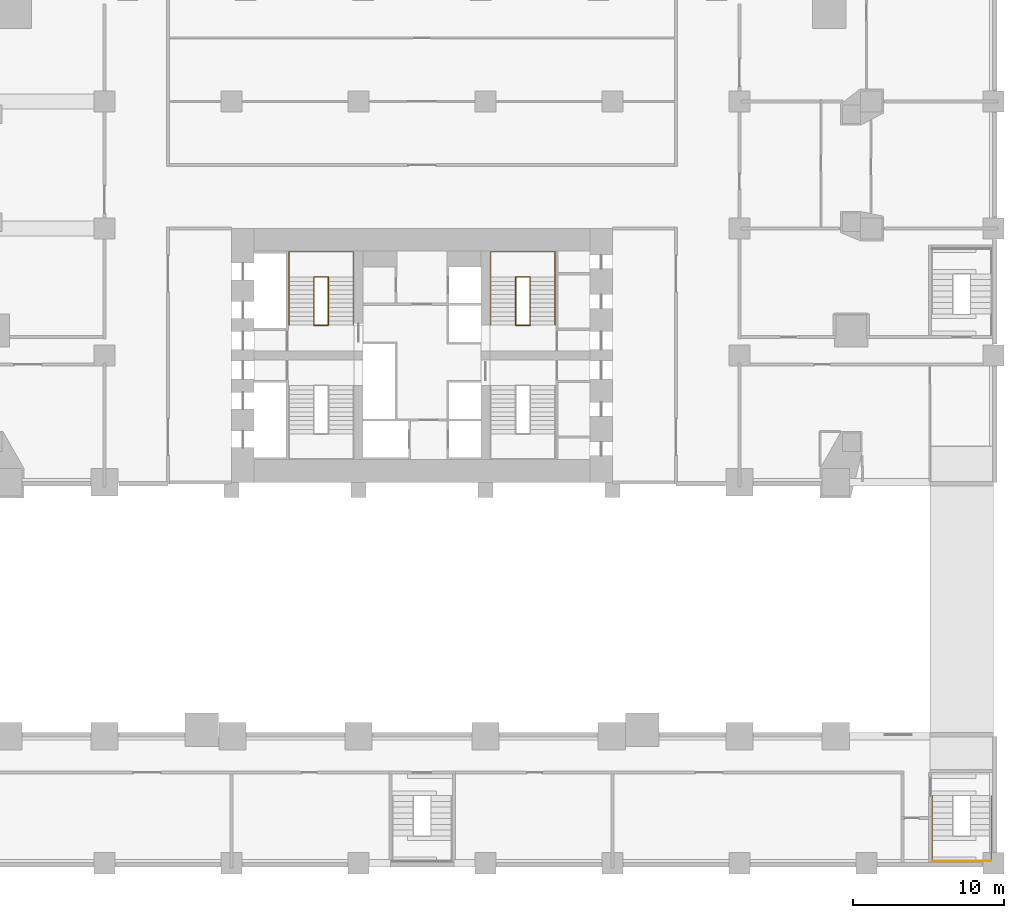
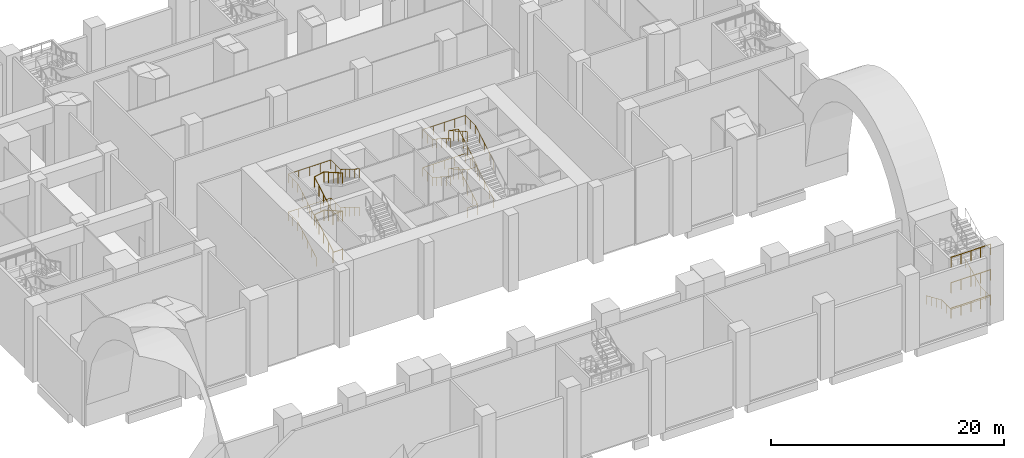
# One storey, part 16 of 19: 12 railings.
"""IFC4 building model written with IfcOpenShell, lengths in metres."""

from ifc_helpers import new_model, si_unit, direction, frame, origin, origin_2d, place, context, subcontext, project, spatial, circle, extrude, material, type_object, element, save


model = new_model("IFC4")

# Units and contexts
model_context = context("Model", 3, precision=1e-05, world=origin(), true_north=direction((0.0, 1.0)))
body_context = subcontext(model_context, "Body", "Model", "MODEL_VIEW")
ifc_project = project(units=[si_unit("LENGTHUNIT", "METRE"), si_unit("AREAUNIT", "SQUARE_METRE"), si_unit("VOLUMEUNIT", "CUBIC_METRE"), si_unit("PLANEANGLEUNIT", "RADIAN"), si_unit("MASSUNIT", "GRAM", prefix="KILO")], contexts=[model_context])

# Site, building, storey
site_placement = place(None, origin())
site = spatial("IfcSite", under=ifc_project, at=site_placement, CompositionType="ELEMENT")
building_placement = place(site_placement, origin())
building = spatial("IfcBuilding", under=site, at=building_placement, Name="Marenta Gate Hotel Tower", CompositionType="ELEMENT")
storey_placement = place(building_placement, frame((0.0, 0.0, 13.0)))
storey = spatial("IfcBuildingStorey", under=building, at=storey_placement, Name="L02", CompositionType="ELEMENT", Elevation=13.0)

# Railings
ifc_material_1 = material(Name="Stainless steel", Category="steel")
railing_type_1 = type_object("IfcRailingType", Name="Core stair handrail 950", PredefinedType="HANDRAIL", material=ifc_material_1)
railing_1_placement = place(storey_placement, frame((-8.800048828125, 10.39990234375, 0.166748046875)))
element("IfcRailing", 1, at=railing_1_placement, inside=storey, type_object=railing_type_1, Name="HR-950 L02-KR-ST2-1", PredefinedType="HANDRAIL", context=body_context, shape_type="SweptSolid", body=[
    extrude(circle(Radius=0.02392578125, at=origin_2d()), frame((0.0, 0.0, 0.92578125), z_axis=(0.0, 0.8670360191, 0.498245463184), x_axis=(-1.0, 0.0, 0.0)), (0.0, 0.0, 1.0), 3.679443359375),
    extrude(circle(Radius=0.02392578125, at=origin_2d()), frame((0.0, 3.190185546875, 2.75927734375), z_axis=(0.0, 1.0, 0.0), x_axis=(-1.0, 0.0, 0.0)), (0.0, 0.0, 1.0), 1.659912109375),
    extrude(circle(Radius=0.02392578125, at=origin_2d()), frame((0.0, 4.85009765625, 2.75927734375), z_axis=(1.0, 0.0, 0.0), x_axis=(0.0, 1.0, 0.0)), (0.0, 0.0, 1.0), 4.25),
    extrude(circle(Radius=0.02392578125, at=origin_2d()), frame((4.25, 4.85009765625, 2.75927734375), z_axis=(0.0, -1.0, 0.0), x_axis=(1.0, 0.0, 0.0)), (0.0, 0.0, 1.0), 1.659912109375),
    extrude(circle(Radius=0.02392578125, at=origin_2d()), frame((4.25, 3.190185546875, 2.75927734375), z_axis=(0.0, -0.847265311894, 0.531169926918), x_axis=(1.0, 0.0, 0.0)), (0.0, 0.0, 1.0), 3.765380859375),
    extrude(circle(Radius=0.02099609375, at=origin_2d()), origin(), (0.0, 0.0, 1.0), 0.90185546875),
    extrude(circle(Radius=0.02099609375, at=origin_2d()), frame((0.0, 0.797607421875, 0.458251953125)), (0.0, 0.0, 1.0), 0.90185546875),
    extrude(circle(Radius=0.02099609375, at=origin_2d()), frame((0.0, 1.59521484375, 0.91650390625)), (0.0, 0.0, 1.0), 0.90185546875),
    extrude(circle(Radius=0.02099609375, at=origin_2d()), frame((0.0, 2.392578125, 1.375)), (0.0, 0.0, 1.0), 0.90185546875),
    extrude(circle(Radius=0.02099609375, at=origin_2d()), frame((0.0, 3.190185546875, 1.833251953125)), (0.0, 0.0, 1.0), 0.90185546875),
    extrude(circle(Radius=0.02099609375, at=origin_2d()), frame((0.0, 4.02001953125, 1.833251953125)), (0.0, 0.0, 1.0), 0.90185546875),
    extrude(circle(Radius=0.02099609375, at=origin_2d()), frame((0.0, 4.85009765625, 1.833251953125)), (0.0, 0.0, 1.0), 0.90185546875),
    extrude(circle(Radius=0.02099609375, at=origin_2d()), frame((1.0625, 4.85009765625, 1.833251953125)), (0.0, 0.0, 1.0), 0.90185546875),
    extrude(circle(Radius=0.02099609375, at=origin_2d()), frame((2.125, 4.85009765625, 1.833251953125)), (0.0, 0.0, 1.0), 0.90185546875),
    extrude(circle(Radius=0.02099609375, at=origin_2d()), frame((3.1875, 4.85009765625, 1.833251953125)), (0.0, 0.0, 1.0), 0.90185546875),
    extrude(circle(Radius=0.02099609375, at=origin_2d()), frame((4.25, 4.85009765625, 1.833251953125)), (0.0, 0.0, 1.0), 0.90185546875),
    extrude(circle(Radius=0.02099609375, at=origin_2d()), frame((4.25, 4.02001953125, 1.833251953125)), (0.0, 0.0, 1.0), 0.90185546875),
    extrude(circle(Radius=0.02099609375, at=origin_2d()), frame((4.25, 3.190185546875, 1.833251953125)), (0.0, 0.0, 1.0), 0.90185546875),
    extrude(circle(Radius=0.02099609375, at=origin_2d()), frame((4.25, 2.392578125, 2.333251953125)), (0.0, 0.0, 1.0), 0.90185546875),
    extrude(circle(Radius=0.02099609375, at=origin_2d()), frame((4.25, 1.59521484375, 2.833251953125)), (0.0, 0.0, 1.0), 0.90185546875),
    extrude(circle(Radius=0.02099609375, at=origin_2d()), frame((4.25, 0.797607421875, 3.333251953125)), (0.0, 0.0, 1.0), 0.90185546875),
    extrude(circle(Radius=0.02099609375, at=origin_2d()), frame((4.25, 0.0, 3.833251953125)), (0.0, 0.0, 1.0), 0.90185546875),
])
railing_2_placement = place(storey_placement, frame((-8.800048828125, 10.39990234375, 4.166748046875)))
element("IfcRailing", 2, at=railing_2_placement, inside=storey, type_object=railing_type_1, Name="HR-950 L02-KR-ST2-3", PredefinedType="HANDRAIL", context=body_context, shape_type="SweptSolid", body=[
    extrude(circle(Radius=0.02392578125, at=origin_2d()), frame((0.0, 0.0, 0.92578125), z_axis=(0.0, 0.8670360191, 0.498245463184), x_axis=(-1.0, 0.0, 0.0)), (0.0, 0.0, 1.0), 3.679443359375),
    extrude(circle(Radius=0.02392578125, at=origin_2d()), frame((0.0, 3.190185546875, 2.75927734375), z_axis=(0.0, 1.0, 0.0), x_axis=(-1.0, 0.0, 0.0)), (0.0, 0.0, 1.0), 1.659912109375),
    extrude(circle(Radius=0.02392578125, at=origin_2d()), frame((0.0, 4.85009765625, 2.75927734375), z_axis=(1.0, 0.0, 0.0), x_axis=(0.0, 1.0, 0.0)), (0.0, 0.0, 1.0), 4.25),
    extrude(circle(Radius=0.02392578125, at=origin_2d()), frame((4.25, 4.85009765625, 2.75927734375), z_axis=(0.0, -1.0, 0.0), x_axis=(1.0, 0.0, 0.0)), (0.0, 0.0, 1.0), 1.659912109375),
    extrude(circle(Radius=0.02392578125, at=origin_2d()), frame((4.25, 3.190185546875, 2.75927734375), z_axis=(0.0, -0.847265311894, 0.531169926918), x_axis=(1.0, 0.0, 0.0)), (0.0, 0.0, 1.0), 3.765380859375),
    extrude(circle(Radius=0.02099609375, at=origin_2d()), origin(), (0.0, 0.0, 1.0), 0.90185546875),
    extrude(circle(Radius=0.02099609375, at=origin_2d()), frame((0.0, 0.797607421875, 0.458251953125)), (0.0, 0.0, 1.0), 0.90185546875),
    extrude(circle(Radius=0.02099609375, at=origin_2d()), frame((0.0, 1.59521484375, 0.91650390625)), (0.0, 0.0, 1.0), 0.90185546875),
    extrude(circle(Radius=0.02099609375, at=origin_2d()), frame((0.0, 2.392578125, 1.375)), (0.0, 0.0, 1.0), 0.90185546875),
    extrude(circle(Radius=0.02099609375, at=origin_2d()), frame((0.0, 3.190185546875, 1.833251953125)), (0.0, 0.0, 1.0), 0.90185546875),
    extrude(circle(Radius=0.02099609375, at=origin_2d()), frame((0.0, 4.02001953125, 1.833251953125)), (0.0, 0.0, 1.0), 0.90185546875),
    extrude(circle(Radius=0.02099609375, at=origin_2d()), frame((0.0, 4.85009765625, 1.833251953125)), (0.0, 0.0, 1.0), 0.90185546875),
    extrude(circle(Radius=0.02099609375, at=origin_2d()), frame((1.0625, 4.85009765625, 1.833251953125)), (0.0, 0.0, 1.0), 0.90185546875),
    extrude(circle(Radius=0.02099609375, at=origin_2d()), frame((2.125, 4.85009765625, 1.833251953125)), (0.0, 0.0, 1.0), 0.90185546875),
    extrude(circle(Radius=0.02099609375, at=origin_2d()), frame((3.1875, 4.85009765625, 1.833251953125)), (0.0, 0.0, 1.0), 0.90185546875),
    extrude(circle(Radius=0.02099609375, at=origin_2d()), frame((4.25, 4.85009765625, 1.833251953125)), (0.0, 0.0, 1.0), 0.90185546875),
    extrude(circle(Radius=0.02099609375, at=origin_2d()), frame((4.25, 4.02001953125, 1.833251953125)), (0.0, 0.0, 1.0), 0.90185546875),
    extrude(circle(Radius=0.02099609375, at=origin_2d()), frame((4.25, 3.190185546875, 1.833251953125)), (0.0, 0.0, 1.0), 0.90185546875),
    extrude(circle(Radius=0.02099609375, at=origin_2d()), frame((4.25, 2.392578125, 2.333251953125)), (0.0, 0.0, 1.0), 0.90185546875),
    extrude(circle(Radius=0.02099609375, at=origin_2d()), frame((4.25, 1.59521484375, 2.833251953125)), (0.0, 0.0, 1.0), 0.90185546875),
    extrude(circle(Radius=0.02099609375, at=origin_2d()), frame((4.25, 0.797607421875, 3.333251953125)), (0.0, 0.0, 1.0), 0.90185546875),
    extrude(circle(Radius=0.02099609375, at=origin_2d()), frame((4.25, 0.0, 3.833251953125)), (0.0, 0.0, 1.0), 0.90185546875),
])
railing_3_placement = place(storey_placement, frame((8.800048828125, 10.39990234375, 0.166748046875)))
element("IfcRailing", 3, at=railing_3_placement, inside=storey, type_object=railing_type_1, Name="HR-950 L02-KR-ST4-1", PredefinedType="HANDRAIL", context=body_context, shape_type="SweptSolid", body=[
    extrude(circle(Radius=0.02392578125, at=origin_2d()), frame((0.0, 0.0, 0.92578125), z_axis=(0.0, 0.8670360191, 0.498245463184), x_axis=(-1.0, 0.0, 0.0)), (0.0, 0.0, 1.0), 3.679443359375),
    extrude(circle(Radius=0.02392578125, at=origin_2d()), frame((0.0, 3.190185546875, 2.75927734375), z_axis=(0.0, 1.0, 0.0), x_axis=(-1.0, 0.0, 0.0)), (0.0, 0.0, 1.0), 1.659912109375),
    extrude(circle(Radius=0.02392578125, at=origin_2d()), frame((0.0, 4.85009765625, 2.75927734375), z_axis=(-1.0, 0.0, 0.0), x_axis=(0.0, -1.0, 0.0)), (0.0, 0.0, 1.0), 4.25),
    extrude(circle(Radius=0.02392578125, at=origin_2d()), frame((-4.25, 4.85009765625, 2.75927734375), z_axis=(0.0, -1.0, 0.0), x_axis=(1.0, 0.0, 0.0)), (0.0, 0.0, 1.0), 1.659912109375),
    extrude(circle(Radius=0.02392578125, at=origin_2d()), frame((-4.25, 3.190185546875, 2.75927734375), z_axis=(0.0, -0.847265311894, 0.531169926918), x_axis=(1.0, 0.0, 0.0)), (0.0, 0.0, 1.0), 3.765380859375),
    extrude(circle(Radius=0.02099609375, at=origin_2d()), origin(), (0.0, 0.0, 1.0), 0.90185546875),
    extrude(circle(Radius=0.02099609375, at=origin_2d()), frame((0.0, 0.797607421875, 0.458251953125)), (0.0, 0.0, 1.0), 0.90185546875),
    extrude(circle(Radius=0.02099609375, at=origin_2d()), frame((0.0, 1.59521484375, 0.91650390625)), (0.0, 0.0, 1.0), 0.90185546875),
    extrude(circle(Radius=0.02099609375, at=origin_2d()), frame((0.0, 2.392578125, 1.375)), (0.0, 0.0, 1.0), 0.90185546875),
    extrude(circle(Radius=0.02099609375, at=origin_2d()), frame((0.0, 3.190185546875, 1.833251953125)), (0.0, 0.0, 1.0), 0.90185546875),
    extrude(circle(Radius=0.02099609375, at=origin_2d()), frame((0.0, 4.02001953125, 1.833251953125)), (0.0, 0.0, 1.0), 0.90185546875),
    extrude(circle(Radius=0.02099609375, at=origin_2d()), frame((0.0, 4.85009765625, 1.833251953125)), (0.0, 0.0, 1.0), 0.90185546875),
    extrude(circle(Radius=0.02099609375, at=origin_2d()), frame((-1.0625, 4.85009765625, 1.833251953125)), (0.0, 0.0, 1.0), 0.90185546875),
    extrude(circle(Radius=0.02099609375, at=origin_2d()), frame((-2.125, 4.85009765625, 1.833251953125)), (0.0, 0.0, 1.0), 0.90185546875),
    extrude(circle(Radius=0.02099609375, at=origin_2d()), frame((-3.1875, 4.85009765625, 1.833251953125)), (0.0, 0.0, 1.0), 0.90185546875),
    extrude(circle(Radius=0.02099609375, at=origin_2d()), frame((-4.25, 4.85009765625, 1.833251953125)), (0.0, 0.0, 1.0), 0.90185546875),
    extrude(circle(Radius=0.02099609375, at=origin_2d()), frame((-4.25, 4.02001953125, 1.833251953125)), (0.0, 0.0, 1.0), 0.90185546875),
    extrude(circle(Radius=0.02099609375, at=origin_2d()), frame((-4.25, 3.190185546875, 1.833251953125)), (0.0, 0.0, 1.0), 0.90185546875),
    extrude(circle(Radius=0.02099609375, at=origin_2d()), frame((-4.25, 2.392578125, 2.333251953125)), (0.0, 0.0, 1.0), 0.90185546875),
    extrude(circle(Radius=0.02099609375, at=origin_2d()), frame((-4.25, 1.59521484375, 2.833251953125)), (0.0, 0.0, 1.0), 0.90185546875),
    extrude(circle(Radius=0.02099609375, at=origin_2d()), frame((-4.25, 0.797607421875, 3.333251953125)), (0.0, 0.0, 1.0), 0.90185546875),
    extrude(circle(Radius=0.02099609375, at=origin_2d()), frame((-4.25, 0.0, 3.833251953125)), (0.0, 0.0, 1.0), 0.90185546875),
])
railing_4_placement = place(storey_placement, frame((8.800048828125, 10.39990234375, 4.166748046875)))
element("IfcRailing", 4, at=railing_4_placement, inside=storey, type_object=railing_type_1, Name="HR-950 L02-KR-ST4-3", PredefinedType="HANDRAIL", context=body_context, shape_type="SweptSolid", body=[
    extrude(circle(Radius=0.02392578125, at=origin_2d()), frame((0.0, 0.0, 0.92578125), z_axis=(0.0, 0.8670360191, 0.498245463184), x_axis=(-1.0, 0.0, 0.0)), (0.0, 0.0, 1.0), 3.679443359375),
    extrude(circle(Radius=0.02392578125, at=origin_2d()), frame((0.0, 3.190185546875, 2.75927734375), z_axis=(0.0, 1.0, 0.0), x_axis=(-1.0, 0.0, 0.0)), (0.0, 0.0, 1.0), 1.659912109375),
    extrude(circle(Radius=0.02392578125, at=origin_2d()), frame((0.0, 4.85009765625, 2.75927734375), z_axis=(-1.0, 0.0, 0.0), x_axis=(0.0, -1.0, 0.0)), (0.0, 0.0, 1.0), 4.25),
    extrude(circle(Radius=0.02392578125, at=origin_2d()), frame((-4.25, 4.85009765625, 2.75927734375), z_axis=(0.0, -1.0, 0.0), x_axis=(1.0, 0.0, 0.0)), (0.0, 0.0, 1.0), 1.659912109375),
    extrude(circle(Radius=0.02392578125, at=origin_2d()), frame((-4.25, 3.190185546875, 2.75927734375), z_axis=(0.0, -0.847265311894, 0.531169926918), x_axis=(1.0, 0.0, 0.0)), (0.0, 0.0, 1.0), 3.765380859375),
    extrude(circle(Radius=0.02099609375, at=origin_2d()), origin(), (0.0, 0.0, 1.0), 0.90185546875),
    extrude(circle(Radius=0.02099609375, at=origin_2d()), frame((0.0, 0.797607421875, 0.458251953125)), (0.0, 0.0, 1.0), 0.90185546875),
    extrude(circle(Radius=0.02099609375, at=origin_2d()), frame((0.0, 1.59521484375, 0.91650390625)), (0.0, 0.0, 1.0), 0.90185546875),
    extrude(circle(Radius=0.02099609375, at=origin_2d()), frame((0.0, 2.392578125, 1.375)), (0.0, 0.0, 1.0), 0.90185546875),
    extrude(circle(Radius=0.02099609375, at=origin_2d()), frame((0.0, 3.190185546875, 1.833251953125)), (0.0, 0.0, 1.0), 0.90185546875),
    extrude(circle(Radius=0.02099609375, at=origin_2d()), frame((0.0, 4.02001953125, 1.833251953125)), (0.0, 0.0, 1.0), 0.90185546875),
    extrude(circle(Radius=0.02099609375, at=origin_2d()), frame((0.0, 4.85009765625, 1.833251953125)), (0.0, 0.0, 1.0), 0.90185546875),
    extrude(circle(Radius=0.02099609375, at=origin_2d()), frame((-1.0625, 4.85009765625, 1.833251953125)), (0.0, 0.0, 1.0), 0.90185546875),
    extrude(circle(Radius=0.02099609375, at=origin_2d()), frame((-2.125, 4.85009765625, 1.833251953125)), (0.0, 0.0, 1.0), 0.90185546875),
    extrude(circle(Radius=0.02099609375, at=origin_2d()), frame((-3.1875, 4.85009765625, 1.833251953125)), (0.0, 0.0, 1.0), 0.90185546875),
    extrude(circle(Radius=0.02099609375, at=origin_2d()), frame((-4.25, 4.85009765625, 1.833251953125)), (0.0, 0.0, 1.0), 0.90185546875),
    extrude(circle(Radius=0.02099609375, at=origin_2d()), frame((-4.25, 4.02001953125, 1.833251953125)), (0.0, 0.0, 1.0), 0.90185546875),
    extrude(circle(Radius=0.02099609375, at=origin_2d()), frame((-4.25, 3.190185546875, 1.833251953125)), (0.0, 0.0, 1.0), 0.90185546875),
    extrude(circle(Radius=0.02099609375, at=origin_2d()), frame((-4.25, 2.392578125, 2.333251953125)), (0.0, 0.0, 1.0), 0.90185546875),
    extrude(circle(Radius=0.02099609375, at=origin_2d()), frame((-4.25, 1.59521484375, 2.833251953125)), (0.0, 0.0, 1.0), 0.90185546875),
    extrude(circle(Radius=0.02099609375, at=origin_2d()), frame((-4.25, 0.797607421875, 3.333251953125)), (0.0, 0.0, 1.0), 0.90185546875),
    extrude(circle(Radius=0.02099609375, at=origin_2d()), frame((-4.25, 0.0, 3.833251953125)), (0.0, 0.0, 1.0), 0.90185546875),
])
railing_5_placement = place(storey_placement, frame((33.75, -20.72998046875, 0.166748046875)))
element("IfcRailing", 5, at=railing_5_placement, inside=storey, type_object=railing_type_1, Name="HR-950 L02-KR-PX2-2", PredefinedType="HANDRAIL", context=body_context, shape_type="SweptSolid", body=[
    extrude(circle(Radius=0.02392578125, at=origin_2d()), frame((0.0, 0.0, 0.92578125), z_axis=(0.0, -0.915803938995, 0.401625628317), x_axis=(1.0, 0.0, 0.0)), (0.0, 0.0, 1.0), 2.904541015625),
    extrude(circle(Radius=0.02392578125, at=origin_2d()), frame((0.0, -2.659912109375, 2.09228515625), z_axis=(0.0, -1.0, 0.0), x_axis=(1.0, 0.0, 0.0)), (0.0, 0.0, 1.0), 1.66015625),
    extrude(circle(Radius=0.02392578125, at=origin_2d()), frame((0.0, -4.320068359375, 2.09228515625), z_axis=(1.0, 0.0, 0.0), x_axis=(0.0, 1.0, 0.0)), (0.0, 0.0, 1.0), 3.89990234375),
    extrude(circle(Radius=0.02392578125, at=origin_2d()), frame((3.89990234375, -4.320068359375, 2.09228515625), z_axis=(0.0, 1.0, 0.0), x_axis=(-1.0, 0.0, 0.0)), (0.0, 0.0, 1.0), 1.66015625),
    extrude(circle(Radius=0.02392578125, at=origin_2d()), frame((3.89990234375, -2.659912109375, 2.09228515625), z_axis=(0.0, 0.89395078604, 0.448165139362), x_axis=(-1.0, 0.0, 0.0)), (0.0, 0.0, 1.0), 2.975341796875),
    extrude(circle(Radius=0.02099609375, at=origin_2d()), origin(), (0.0, 0.0, 1.0), 0.90185546875),
    extrude(circle(Radius=0.02099609375, at=origin_2d()), frame((0.0, -0.88671875, 0.388916015625)), (0.0, 0.0, 1.0), 0.90185546875),
    extrude(circle(Radius=0.02099609375, at=origin_2d()), frame((0.0, -1.773193359375, 0.777587890625)), (0.0, 0.0, 1.0), 0.90185546875),
    extrude(circle(Radius=0.02099609375, at=origin_2d()), frame((0.0, -2.659912109375, 1.16650390625)), (0.0, 0.0, 1.0), 0.90185546875),
    extrude(circle(Radius=0.02099609375, at=origin_2d()), frame((0.0, -3.489990234375, 1.16650390625)), (0.0, 0.0, 1.0), 0.90185546875),
    extrude(circle(Radius=0.02099609375, at=origin_2d()), frame((0.0, -4.320068359375, 1.16650390625)), (0.0, 0.0, 1.0), 0.90185546875),
    extrude(circle(Radius=0.02099609375, at=origin_2d()), frame((0.97509765625, -4.320068359375, 1.16650390625)), (0.0, 0.0, 1.0), 0.90185546875),
    extrude(circle(Radius=0.02099609375, at=origin_2d()), frame((1.949951171875, -4.320068359375, 1.16650390625)), (0.0, 0.0, 1.0), 0.90185546875),
    extrude(circle(Radius=0.02099609375, at=origin_2d()), frame((2.9248046875, -4.320068359375, 1.16650390625)), (0.0, 0.0, 1.0), 0.90185546875),
    extrude(circle(Radius=0.02099609375, at=origin_2d()), frame((3.89990234375, -4.320068359375, 1.16650390625)), (0.0, 0.0, 1.0), 0.90185546875),
    extrude(circle(Radius=0.02099609375, at=origin_2d()), frame((3.89990234375, -3.489990234375, 1.16650390625)), (0.0, 0.0, 1.0), 0.90185546875),
    extrude(circle(Radius=0.02099609375, at=origin_2d()), frame((3.89990234375, -2.659912109375, 1.16650390625)), (0.0, 0.0, 1.0), 0.90185546875),
    extrude(circle(Radius=0.02099609375, at=origin_2d()), frame((3.89990234375, -1.773193359375, 1.611083984375)), (0.0, 0.0, 1.0), 0.90185546875),
    extrude(circle(Radius=0.02099609375, at=origin_2d()), frame((3.89990234375, -0.88671875, 2.055419921875)), (0.0, 0.0, 1.0), 0.90185546875),
    extrude(circle(Radius=0.02099609375, at=origin_2d()), frame((3.89990234375, 0.0, 2.5)), (0.0, 0.0, 1.0), 0.90185546875),
])
ifc_material_2 = material(Name="Stainless steel", Category="steel")
railing_type_2 = type_object("IfcRailingType", Name="Core stair well guard 1100", PredefinedType="GUARDRAIL", material=ifc_material_2)
railing_6_placement = place(storey_placement, frame((-6.199951171875, 10.39990234375, 0.0)))
element("IfcRailing", 6, at=railing_6_placement, inside=storey, type_object=railing_type_2, Name="GR-1100 L02-KR-ST2-2", PredefinedType="GUARDRAIL", context=body_context, shape_type="SweptSolid", body=[
    extrude(circle(Radius=0.02392578125, at=origin_2d()), frame((0.0, 0.0, 1.076171875), z_axis=(-1.0, 0.0, 0.0), x_axis=(0.0, -1.0, 0.0)), (0.0, 0.0, 1.0), 0.949951171875),
    extrude(circle(Radius=0.02392578125, at=origin_2d()), frame((-0.949951171875, 0.0, 1.076171875), z_axis=(0.0, 0.0, 1.0), x_axis=(1.0, 0.0, 0.0)), (0.0, 0.0, 1.0), 0.166748046875),
    extrude(circle(Radius=0.02392578125, at=origin_2d()), frame((-0.949951171875, 0.0, 1.24267578125), z_axis=(0.0, 0.8670360191, 0.498245463184), x_axis=(-1.0, 0.0, 0.0)), (0.0, 0.0, 1.0), 3.679443359375),
    extrude(circle(Radius=0.02392578125, at=origin_2d()), frame((-0.949951171875, 3.190185546875, 3.076171875), z_axis=(0.984941147704, 0.0, 0.172889952167), x_axis=(0.0, 1.0, 0.0)), (0.0, 0.0, 1.0), 0.96435546875),
    extrude(circle(Radius=0.02392578125, at=origin_2d()), frame((0.0, 3.190185546875, 3.24267578125), z_axis=(0.0, -0.8670360191, 0.498245463184), x_axis=(1.0, 0.0, 0.0)), (0.0, 0.0, 1.0), 3.679443359375),
    extrude(circle(Radius=0.02099609375, at=origin_2d()), origin(), (0.0, 0.0, 1.0), 1.052001953125),
    extrude(circle(Radius=0.02099609375, at=origin_2d()), frame((-0.949951171875, 0.0, 0.0)), (0.0, 0.0, 1.0), 1.052001953125),
    extrude(circle(Radius=0.02099609375, at=origin_2d()), frame((-0.949951171875, 0.0, 0.166748046875)), (0.0, 0.0, 1.0), 1.052001953125),
    extrude(circle(Radius=0.02099609375, at=origin_2d()), frame((-0.949951171875, 0.797607421875, 0.625)), (0.0, 0.0, 1.0), 1.052001953125),
    extrude(circle(Radius=0.02099609375, at=origin_2d()), frame((-0.949951171875, 1.59521484375, 1.08349609375)), (0.0, 0.0, 1.0), 1.052001953125),
    extrude(circle(Radius=0.02099609375, at=origin_2d()), frame((-0.949951171875, 2.392578125, 1.541748046875)), (0.0, 0.0, 1.0), 1.052001953125),
    extrude(circle(Radius=0.02099609375, at=origin_2d()), frame((-0.949951171875, 3.190185546875, 2.0)), (0.0, 0.0, 1.0), 1.052001953125),
    extrude(circle(Radius=0.02099609375, at=origin_2d()), frame((0.0, 3.190185546875, 2.166748046875)), (0.0, 0.0, 1.0), 1.052001953125),
    extrude(circle(Radius=0.02099609375, at=origin_2d()), frame((0.0, 2.392578125, 2.625)), (0.0, 0.0, 1.0), 1.052001953125),
    extrude(circle(Radius=0.02099609375, at=origin_2d()), frame((0.0, 1.59521484375, 3.08349609375)), (0.0, 0.0, 1.0), 1.052001953125),
    extrude(circle(Radius=0.02099609375, at=origin_2d()), frame((0.0, 0.797607421875, 3.541748046875)), (0.0, 0.0, 1.0), 1.052001953125),
    extrude(circle(Radius=0.02099609375, at=origin_2d()), frame((0.0, 0.0, 4.0)), (0.0, 0.0, 1.0), 1.052001953125),
])
railing_7_placement = place(storey_placement, frame((-6.199951171875, 10.39990234375, 4.0)))
element("IfcRailing", 7, at=railing_7_placement, inside=storey, type_object=railing_type_2, Name="GR-1100 L02-KR-ST2-4", PredefinedType="GUARDRAIL", context=body_context, shape_type="SweptSolid", body=[
    extrude(circle(Radius=0.02392578125, at=origin_2d()), frame((0.0, 0.0, 1.076171875), z_axis=(-1.0, 0.0, 0.0), x_axis=(0.0, -1.0, 0.0)), (0.0, 0.0, 1.0), 0.949951171875),
    extrude(circle(Radius=0.02392578125, at=origin_2d()), frame((-0.949951171875, 0.0, 1.076171875), z_axis=(0.0, 0.0, 1.0), x_axis=(1.0, 0.0, 0.0)), (0.0, 0.0, 1.0), 0.166748046875),
    extrude(circle(Radius=0.02392578125, at=origin_2d()), frame((-0.949951171875, 0.0, 1.24267578125), z_axis=(0.0, 0.8670360191, 0.498245463184), x_axis=(-1.0, 0.0, 0.0)), (0.0, 0.0, 1.0), 3.679443359375),
    extrude(circle(Radius=0.02392578125, at=origin_2d()), frame((-0.949951171875, 3.190185546875, 3.076171875), z_axis=(0.984941147704, 0.0, 0.172889952167), x_axis=(0.0, 1.0, 0.0)), (0.0, 0.0, 1.0), 0.96435546875),
    extrude(circle(Radius=0.02392578125, at=origin_2d()), frame((0.0, 3.190185546875, 3.24267578125), z_axis=(0.0, -0.8670360191, 0.498245463184), x_axis=(1.0, 0.0, 0.0)), (0.0, 0.0, 1.0), 3.679443359375),
    extrude(circle(Radius=0.02099609375, at=origin_2d()), origin(), (0.0, 0.0, 1.0), 1.052001953125),
    extrude(circle(Radius=0.02099609375, at=origin_2d()), frame((-0.949951171875, 0.0, 0.0)), (0.0, 0.0, 1.0), 1.052001953125),
    extrude(circle(Radius=0.02099609375, at=origin_2d()), frame((-0.949951171875, 0.0, 0.166748046875)), (0.0, 0.0, 1.0), 1.052001953125),
    extrude(circle(Radius=0.02099609375, at=origin_2d()), frame((-0.949951171875, 0.797607421875, 0.625)), (0.0, 0.0, 1.0), 1.052001953125),
    extrude(circle(Radius=0.02099609375, at=origin_2d()), frame((-0.949951171875, 1.59521484375, 1.08349609375)), (0.0, 0.0, 1.0), 1.052001953125),
    extrude(circle(Radius=0.02099609375, at=origin_2d()), frame((-0.949951171875, 2.392578125, 1.541748046875)), (0.0, 0.0, 1.0), 1.052001953125),
    extrude(circle(Radius=0.02099609375, at=origin_2d()), frame((-0.949951171875, 3.190185546875, 2.0)), (0.0, 0.0, 1.0), 1.052001953125),
    extrude(circle(Radius=0.02099609375, at=origin_2d()), frame((0.0, 3.190185546875, 2.166748046875)), (0.0, 0.0, 1.0), 1.052001953125),
    extrude(circle(Radius=0.02099609375, at=origin_2d()), frame((0.0, 2.392578125, 2.625)), (0.0, 0.0, 1.0), 1.052001953125),
    extrude(circle(Radius=0.02099609375, at=origin_2d()), frame((0.0, 1.59521484375, 3.08349609375)), (0.0, 0.0, 1.0), 1.052001953125),
    extrude(circle(Radius=0.02099609375, at=origin_2d()), frame((0.0, 0.797607421875, 3.541748046875)), (0.0, 0.0, 1.0), 1.052001953125),
    extrude(circle(Radius=0.02099609375, at=origin_2d()), frame((0.0, 0.0, 4.0)), (0.0, 0.0, 1.0), 1.052001953125),
])
railing_8_placement = place(storey_placement, frame((6.199951171875, 10.39990234375, 0.0)))
element("IfcRailing", 8, at=railing_8_placement, inside=storey, type_object=railing_type_2, Name="GR-1100 L02-KR-ST4-2", PredefinedType="GUARDRAIL", context=body_context, shape_type="SweptSolid", body=[
    extrude(circle(Radius=0.02392578125, at=origin_2d()), frame((0.0, 0.0, 1.076171875), z_axis=(1.0, 0.0, 0.0), x_axis=(0.0, 1.0, 0.0)), (0.0, 0.0, 1.0), 0.949951171875),
    extrude(circle(Radius=0.02392578125, at=origin_2d()), frame((0.949951171875, 0.0, 1.076171875), z_axis=(0.0, 0.0, 1.0), x_axis=(1.0, 0.0, 0.0)), (0.0, 0.0, 1.0), 0.166748046875),
    extrude(circle(Radius=0.02392578125, at=origin_2d()), frame((0.949951171875, 0.0, 1.24267578125), z_axis=(0.0, 0.8670360191, 0.498245463184), x_axis=(-1.0, 0.0, 0.0)), (0.0, 0.0, 1.0), 3.679443359375),
    extrude(circle(Radius=0.02392578125, at=origin_2d()), frame((0.949951171875, 3.190185546875, 3.076171875), z_axis=(-0.984941147704, 0.0, 0.172889952167), x_axis=(0.0, -1.0, 0.0)), (0.0, 0.0, 1.0), 0.96435546875),
    extrude(circle(Radius=0.02392578125, at=origin_2d()), frame((0.0, 3.190185546875, 3.24267578125), z_axis=(0.0, -0.8670360191, 0.498245463184), x_axis=(1.0, 0.0, 0.0)), (0.0, 0.0, 1.0), 3.679443359375),
    extrude(circle(Radius=0.02099609375, at=origin_2d()), origin(), (0.0, 0.0, 1.0), 1.052001953125),
    extrude(circle(Radius=0.02099609375, at=origin_2d()), frame((0.949951171875, 0.0, 0.0)), (0.0, 0.0, 1.0), 1.052001953125),
    extrude(circle(Radius=0.02099609375, at=origin_2d()), frame((0.949951171875, 0.0, 0.166748046875)), (0.0, 0.0, 1.0), 1.052001953125),
    extrude(circle(Radius=0.02099609375, at=origin_2d()), frame((0.949951171875, 0.797607421875, 0.625)), (0.0, 0.0, 1.0), 1.052001953125),
    extrude(circle(Radius=0.02099609375, at=origin_2d()), frame((0.949951171875, 1.59521484375, 1.08349609375)), (0.0, 0.0, 1.0), 1.052001953125),
    extrude(circle(Radius=0.02099609375, at=origin_2d()), frame((0.949951171875, 2.392578125, 1.541748046875)), (0.0, 0.0, 1.0), 1.052001953125),
    extrude(circle(Radius=0.02099609375, at=origin_2d()), frame((0.949951171875, 3.190185546875, 2.0)), (0.0, 0.0, 1.0), 1.052001953125),
    extrude(circle(Radius=0.02099609375, at=origin_2d()), frame((0.0, 3.190185546875, 2.166748046875)), (0.0, 0.0, 1.0), 1.052001953125),
    extrude(circle(Radius=0.02099609375, at=origin_2d()), frame((0.0, 2.392578125, 2.625)), (0.0, 0.0, 1.0), 1.052001953125),
    extrude(circle(Radius=0.02099609375, at=origin_2d()), frame((0.0, 1.59521484375, 3.08349609375)), (0.0, 0.0, 1.0), 1.052001953125),
    extrude(circle(Radius=0.02099609375, at=origin_2d()), frame((0.0, 0.797607421875, 3.541748046875)), (0.0, 0.0, 1.0), 1.052001953125),
    extrude(circle(Radius=0.02099609375, at=origin_2d()), frame((0.0, 0.0, 4.0)), (0.0, 0.0, 1.0), 1.052001953125),
])
railing_9_placement = place(storey_placement, frame((6.199951171875, 10.39990234375, 4.0)))
element("IfcRailing", 9, at=railing_9_placement, inside=storey, type_object=railing_type_2, Name="GR-1100 L02-KR-ST4-4", PredefinedType="GUARDRAIL", context=body_context, shape_type="SweptSolid", body=[
    extrude(circle(Radius=0.02392578125, at=origin_2d()), frame((0.0, 0.0, 1.076171875), z_axis=(1.0, 0.0, 0.0), x_axis=(0.0, 1.0, 0.0)), (0.0, 0.0, 1.0), 0.949951171875),
    extrude(circle(Radius=0.02392578125, at=origin_2d()), frame((0.949951171875, 0.0, 1.076171875), z_axis=(0.0, 0.0, 1.0), x_axis=(1.0, 0.0, 0.0)), (0.0, 0.0, 1.0), 0.166748046875),
    extrude(circle(Radius=0.02392578125, at=origin_2d()), frame((0.949951171875, 0.0, 1.24267578125), z_axis=(0.0, 0.8670360191, 0.498245463184), x_axis=(-1.0, 0.0, 0.0)), (0.0, 0.0, 1.0), 3.679443359375),
    extrude(circle(Radius=0.02392578125, at=origin_2d()), frame((0.949951171875, 3.190185546875, 3.076171875), z_axis=(-0.984941147704, 0.0, 0.172889952167), x_axis=(0.0, -1.0, 0.0)), (0.0, 0.0, 1.0), 0.96435546875),
    extrude(circle(Radius=0.02392578125, at=origin_2d()), frame((0.0, 3.190185546875, 3.24267578125), z_axis=(0.0, -0.8670360191, 0.498245463184), x_axis=(1.0, 0.0, 0.0)), (0.0, 0.0, 1.0), 3.679443359375),
    extrude(circle(Radius=0.02099609375, at=origin_2d()), origin(), (0.0, 0.0, 1.0), 1.052001953125),
    extrude(circle(Radius=0.02099609375, at=origin_2d()), frame((0.949951171875, 0.0, 0.0)), (0.0, 0.0, 1.0), 1.052001953125),
    extrude(circle(Radius=0.02099609375, at=origin_2d()), frame((0.949951171875, 0.0, 0.166748046875)), (0.0, 0.0, 1.0), 1.052001953125),
    extrude(circle(Radius=0.02099609375, at=origin_2d()), frame((0.949951171875, 0.797607421875, 0.625)), (0.0, 0.0, 1.0), 1.052001953125),
    extrude(circle(Radius=0.02099609375, at=origin_2d()), frame((0.949951171875, 1.59521484375, 1.08349609375)), (0.0, 0.0, 1.0), 1.052001953125),
    extrude(circle(Radius=0.02099609375, at=origin_2d()), frame((0.949951171875, 2.392578125, 1.541748046875)), (0.0, 0.0, 1.0), 1.052001953125),
    extrude(circle(Radius=0.02099609375, at=origin_2d()), frame((0.949951171875, 3.190185546875, 2.0)), (0.0, 0.0, 1.0), 1.052001953125),
    extrude(circle(Radius=0.02099609375, at=origin_2d()), frame((0.0, 3.190185546875, 2.166748046875)), (0.0, 0.0, 1.0), 1.052001953125),
    extrude(circle(Radius=0.02099609375, at=origin_2d()), frame((0.0, 2.392578125, 2.625)), (0.0, 0.0, 1.0), 1.052001953125),
    extrude(circle(Radius=0.02099609375, at=origin_2d()), frame((0.0, 1.59521484375, 3.08349609375)), (0.0, 0.0, 1.0), 1.052001953125),
    extrude(circle(Radius=0.02099609375, at=origin_2d()), frame((0.0, 0.797607421875, 3.541748046875)), (0.0, 0.0, 1.0), 1.052001953125),
    extrude(circle(Radius=0.02099609375, at=origin_2d()), frame((0.0, 0.0, 4.0)), (0.0, 0.0, 1.0), 1.052001953125),
])
for number, where, name in (
    (10, (33.75, -25.050048828125, 1.333251953125), "GR-1100 L02-KR-PX2-1"),
    (11, (33.75, -25.050048828125, 4.0), "GR-1100 L02-KR-PX2-4"),
    (12, (33.75, -25.050048828125, 6.666748046875), "GR-1100 L02-KR-PX2-7"),
):
    element("IfcRailing", number, at=place(storey_placement, frame(where)), inside=storey, type_object=railing_type_2, Name=name, PredefinedType="GUARDRAIL", context=body_context, shape_type="SweptSolid", body=[
        extrude(circle(Radius=0.02392578125, at=origin_2d()), frame((0.0, 0.0, 1.076171875), z_axis=(1.0, 0.0, 0.0), x_axis=(0.0, 1.0, 0.0)), (0.0, 0.0, 1.0), 3.89990234375),
        extrude(circle(Radius=0.02099609375, at=origin_2d()), origin(), (0.0, 0.0, 1.0), 1.052001953125),
        extrude(circle(Radius=0.02099609375, at=origin_2d()), frame((0.97509765625, 0.0, 0.0)), (0.0, 0.0, 1.0), 1.052001953125),
        extrude(circle(Radius=0.02099609375, at=origin_2d()), frame((1.949951171875, 0.0, 0.0)), (0.0, 0.0, 1.0), 1.052001953125),
        extrude(circle(Radius=0.02099609375, at=origin_2d()), frame((2.9248046875, 0.0, 0.0)), (0.0, 0.0, 1.0), 1.052001953125),
        extrude(circle(Radius=0.02099609375, at=origin_2d()), frame((3.89990234375, 0.0, 0.0)), (0.0, 0.0, 1.0), 1.052001953125),
    ])

save(model, "model.ifc")
